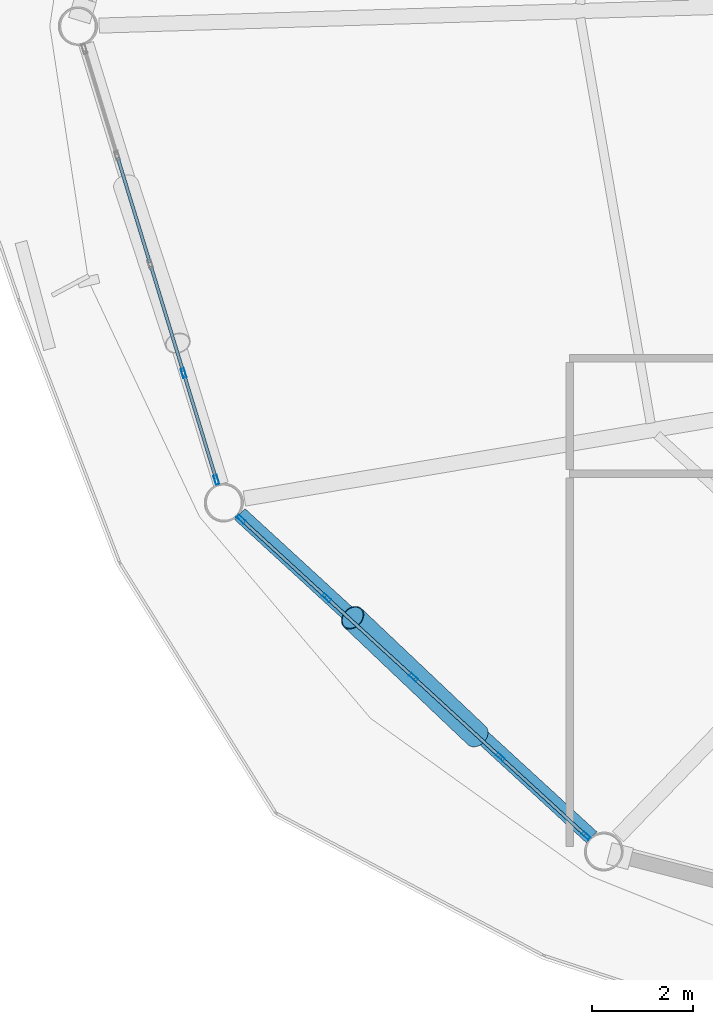
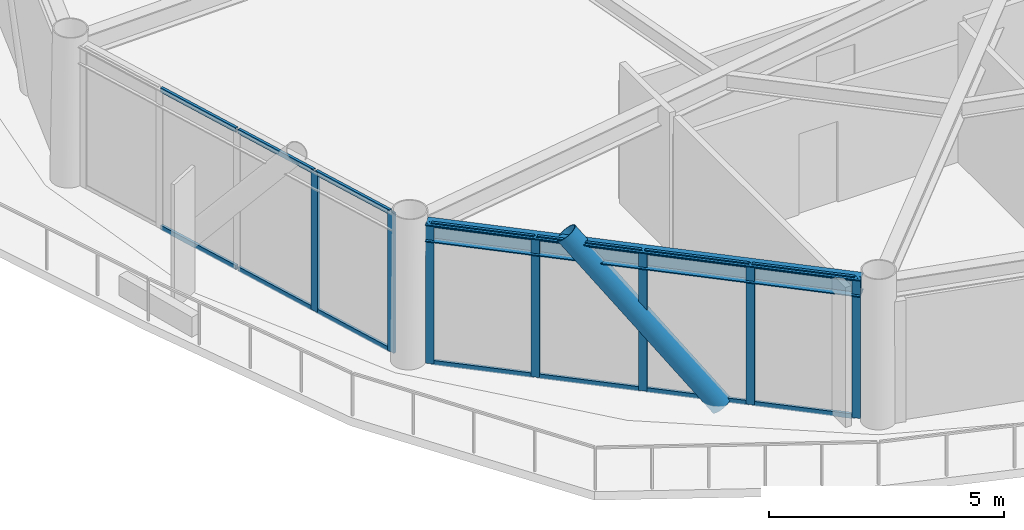
# One storey, part 2 of 23: 22 members, 1 beam, 2 elements without a shape of their own.
"""IFC4 building model written with IfcOpenShell, lengths in metres."""

import ifcopenshell
import ifcopenshell.guid

model = None  # the IFC model being written
_history = None  # IfcOwnerHistory: only IFC2X3 demands one
_inside = {}  # id of a spatial element -> (the spatial element, [elements in it])
_under = {}  # id of a project, library or spatial element -> (it, [spatial elements below it])
_declared = {}  # id of a project -> (the project, [libraries it declares])
_typed = {}  # id of a type object -> (the type object, [elements of that type])
_made_of = {}  # id of a material, layer set ... -> (it, [elements and type objects made of it])


def new_model(schema):
    """Start an empty IFC model of exactly this schema.

    Asked for "IFC4X3", IfcOpenShell would pick the latest addendum, in which some entities
    have other attributes; the version numbers below select the first issue.
    IFC2X3 requires an IfcOwnerHistory on every rooted entity: one is made here for all.
    """
    global model, _history
    if schema == "IFC4X3":
        model = ifcopenshell.file(schema_version=(4, 3, 0, 0))
    else:
        model = ifcopenshell.file(schema=schema)
    _inside.clear()
    _under.clear()
    _declared.clear()
    _typed.clear()
    _made_of.clear()
    _history = None
    if model.schema == "IFC2X3":
        org = make("IfcOrganization", Name="unknown")
        user = make(
            "IfcPersonAndOrganization",
            ThePerson=make("IfcPerson", FamilyName="unknown"),
            TheOrganization=org,
        )
        app = make(
            "IfcApplication",
            ApplicationDeveloper=org,
            Version="unknown",
            ApplicationFullName="unknown",
            ApplicationIdentifier="unknown",
        )
        _history = make(
            "IfcOwnerHistory",
            OwningUser=user,
            OwningApplication=app,
            ChangeAction="ADDED",
            CreationDate=0,
        )
    return model


def make(cls, **values):
    """One entity of the class cls with the attributes given. An attribute that is None is left unset."""
    return model.create_entity(
        cls, **{name: value for name, value in values.items() if value is not None}
    )


def rooted(cls, **values):
    """An entity with a GlobalId (a new one), such as an element, a storey or a relation."""
    return make(cls, GlobalId=ifcopenshell.guid.new(), OwnerHistory=_history, **values)


def si_unit(unit_type, name, prefix=None):
    """IfcSIUnit, for example si_unit("LENGTHUNIT", "METRE", prefix="MILLI")."""
    return make("IfcSIUnit", UnitType=unit_type, Prefix=prefix, Name=name)


def assignment(units):
    """IfcUnitAssignment: the units of a project."""
    return None if units is None else make("IfcUnitAssignment", Units=units)


def point(xyz):
    """IfcCartesianPoint."""
    return None if xyz is None else make("IfcCartesianPoint", Coordinates=xyz)


def direction(xyz):
    """IfcDirection."""
    return None if xyz is None else make("IfcDirection", DirectionRatios=xyz)


def frame(location, z_axis=None, x_axis=None):
    """IfcAxis2Placement3D, a coordinate frame: its origin and axes. An axis left out is left unset."""
    return make(
        "IfcAxis2Placement3D",
        Location=point(location),
        Axis=direction(z_axis),
        RefDirection=direction(x_axis),
    )


def frame_2d(location, x_axis=None):
    """IfcAxis2Placement2D, a coordinate frame in the plane: its origin and x axis."""
    return make(
        "IfcAxis2Placement2D", Location=point(location), RefDirection=direction(x_axis)
    )


def origin():
    """The frame at (0, 0, 0) with its axes left unset."""
    return frame((0.0, 0.0, 0.0))


def origin_2d():
    """The frame at (0, 0) in the plane with its x axis left unset."""
    return frame_2d((0.0, 0.0))


def place(relative_to, where):
    """IfcLocalPlacement: puts the frame where relative to a parent placement (None: the world)."""
    return make(
        "IfcLocalPlacement", PlacementRelTo=relative_to, RelativePlacement=where
    )


def context(
    kind, dimensions, precision=None, world=None, true_north=None, identifier=None
):
    """IfcGeometricRepresentationContext, for example the 3D "Model" context."""
    return make(
        "IfcGeometricRepresentationContext",
        ContextIdentifier=identifier,
        ContextType=kind,
        CoordinateSpaceDimension=dimensions,
        Precision=precision,
        WorldCoordinateSystem=world,
        TrueNorth=true_north,
    )


def subcontext(parent, identifier, kind, view, scale=None):
    """IfcGeometricRepresentationSubContext, for example "Body" below "Model"."""
    return make(
        "IfcGeometricRepresentationSubContext",
        ContextIdentifier=identifier,
        ContextType=kind,
        ParentContext=parent,
        TargetScale=scale,
        TargetView=view,
    )


def project(units=None, contexts=None):
    """IfcProject with its units and contexts."""
    return rooted(
        "IfcProject",
        Name="project",
        RepresentationContexts=contexts,
        UnitsInContext=assignment(units),
    )


def spatial(cls, under=None, at=None, **own):
    """A site, building, storey or space (cls), placed at a placement, below another one or the project."""
    s = rooted(cls, ObjectPlacement=at, **own)
    if under is not None:
        _under.setdefault(under.id(), (under, []))[1].append(s)
    return s


def profile(cls, at=None, kind="AREA", **sizes):
    """A parametric profile (cls). Its sizes go by their IFC names, for example OverallWidth=200.0."""
    return make(cls, ProfileType=kind, Position=at, **sizes)


def hollow_rectangle(**sizes):
    """IfcRectangleHollowProfileDef."""
    return profile("IfcRectangleHollowProfileDef", **sizes)


def hollow_circle(**sizes):
    """IfcCircleHollowProfileDef."""
    return profile("IfcCircleHollowProfileDef", **sizes)


def i_section(**sizes):
    """IfcIShapeProfileDef."""
    return profile("IfcIShapeProfileDef", **sizes)


def extrude(swept, where, along, depth):
    """IfcExtrudedAreaSolid: the profile swept, set in the frame where, extruded along a direction by depth."""
    return make(
        "IfcExtrudedAreaSolid",
        SweptArea=swept,
        Position=where,
        ExtrudedDirection=direction(along),
        Depth=depth,
    )


def shape(context_of_items, identifier, shape_type, items):
    """IfcShapeRepresentation: the items that make up one representation, for example the "Body"."""
    return make(
        "IfcShapeRepresentation",
        ContextOfItems=context_of_items,
        RepresentationIdentifier=identifier,
        RepresentationType=shape_type,
        Items=items,
    )


def material(Name=None, Category=None):
    """IfcMaterial."""
    return make("IfcMaterial", Name=Name, Category=Category)


def layer(
    of_material, thickness, ventilated=None, Name=None, Category=None, Priority=None
):
    """IfcMaterialLayer: one layer of a wall or slab, of a material (None: an air gap)."""
    return make(
        "IfcMaterialLayer",
        Material=of_material,
        LayerThickness=thickness,
        IsVentilated=ventilated,
        Name=Name,
        Category=Category,
        Priority=Priority,
    )


def layer_set(layers, Name=None):
    """IfcMaterialLayerSet."""
    return make("IfcMaterialLayerSet", MaterialLayers=layers, LayerSetName=Name)


def material_profile(
    of_material, cross_section, Name=None, Category=None, Priority=None
):
    """IfcMaterialProfile: a cross section and its material."""
    return make(
        "IfcMaterialProfile",
        Name=Name,
        Material=of_material,
        Profile=cross_section,
        Priority=Priority,
        Category=Category,
    )


def profile_set(profiles, Name=None, composite=None):
    """IfcMaterialProfileSet."""
    return make(
        "IfcMaterialProfileSet",
        Name=Name,
        MaterialProfiles=profiles,
        CompositeProfile=composite,
    )


def made_of(thing, what):
    """Note that an element or type object is made of a material, layer set ...; save() writes the relation."""
    if what is not None:
        _made_of.setdefault(what.id(), (what, []))[1].append(thing)
    return thing


def type_object(cls, material=None, **own):
    """A type object (cls), such as IfcWallType, which elements share."""
    return made_of(rooted(cls, **own), material)


def element(
    cls,
    number,
    at=None,
    inside=None,
    cuts=None,
    type_object=None,
    material=None,
    context=None,
    identifier="Body",
    shape_type=None,
    held_by="IfcProductDefinitionShape",
    body=None,
    shapes=None,
    **own,
):
    """One element of the class cls, such as IfcWall. Its Tag is "e" and its number.

    at: its placement. inside: the storey or other place that contains it. cuts: it is an
    opening in that element (IfcRelVoidsElement). A single representation is given by context,
    identifier, shape_type and body (its items); several are given by shapes. held_by: the class
    of the entity that holds the representations. save() writes the other relations.
    """
    e = rooted(cls, Tag="e%d" % number, ObjectPlacement=at, **own)
    if body is not None:
        shapes = [shape(context, identifier, shape_type, body)]
    if shapes is not None:
        e.Representation = make(held_by, Representations=shapes)
    if inside is not None:
        _inside.setdefault(inside.id(), (inside, []))[1].append(e)
    if cuts is not None:
        rooted(
            "IfcRelVoidsElement", RelatingBuildingElement=cuts, RelatedOpeningElement=e
        )
    if type_object is not None:
        _typed.setdefault(type_object.id(), (type_object, []))[1].append(e)
    return made_of(e, material)


def aggregate(whole, parts):
    """IfcRelAggregates: a whole, such as a stair, and the parts it consists of."""
    return rooted("IfcRelAggregates", RelatingObject=whole, RelatedObjects=parts)


def save(model, path):
    """Write the relations noted so far, then the file.

    IfcRelAggregates (storeys below a building ...), IfcRelContainedInSpatialStructure (elements
    in a storey), IfcRelDefinesByType, IfcRelAssociatesMaterial and IfcRelDeclares: one each for
    every whole, place, type object, material and project.
    """
    for whole, parts in _under.values():
        aggregate(whole, parts)
    for where, things in _inside.values():
        rooted(
            "IfcRelContainedInSpatialStructure",
            RelatedElements=things,
            RelatingStructure=where,
        )
    for kind, things in _typed.values():
        rooted("IfcRelDefinesByType", RelatedObjects=things, RelatingType=kind)
    for what, things in _made_of.values():
        rooted("IfcRelAssociatesMaterial", RelatedObjects=things, RelatingMaterial=what)
    for by, libraries in _declared.values():
        rooted("IfcRelDeclares", RelatingContext=by, RelatedDefinitions=libraries)
    model.write(path)


model = new_model("IFC4")

# Units and contexts
model_context = context("Model", 3, precision=1e-05, world=origin(), true_north=direction((0.0, 1.0)))
body_context = subcontext(model_context, "Body", "Model", "MODEL_VIEW")
ifc_project = project(units=[si_unit("LENGTHUNIT", "METRE"), si_unit("AREAUNIT", "SQUARE_METRE"), si_unit("VOLUMEUNIT", "CUBIC_METRE"), si_unit("PLANEANGLEUNIT", "RADIAN"), si_unit("MASSUNIT", "GRAM", prefix="KILO")], contexts=[model_context])

# Site, building, storey
site_placement = place(None, origin())
site = spatial("IfcSite", under=ifc_project, at=site_placement, CompositionType="ELEMENT")
building_placement = place(site_placement, origin())
building = spatial("IfcBuilding", under=site, at=building_placement, Name="Varnakorn Sky Granary", CompositionType="ELEMENT")
storey_placement = place(building_placement, frame((0.0, 0.0, 150.0)))
storey = spatial("IfcBuildingStorey", under=building, at=storey_placement, Name="L37", CompositionType="ELEMENT", Elevation=150.0)

# Beam
ifc_material_1 = material(Name="Steel S355JR", Category="steel")
ifc_material_profile_1 = material_profile(ifc_material_1, i_section(OverallWidth=0.300048828125, OverallDepth=0.449951171875, WebThickness=0.013916015625, FlangeThickness=0.02587890625, at=origin_2d()), Name="HE 450 B")
ifc_profile_set_1 = profile_set([ifc_material_profile_1], Name="Steel S355JR")
beam_type = type_object("IfcBeamType", Name="BM-SPD-Z3", PredefinedType="SPANDREL", material=ifc_profile_set_1)
beam_placement = place(storey_placement, frame((-19.054931640625, -9.7001953125, 3.4150390625), z_axis=(0.736482578833, -0.676456510853, 0.0), x_axis=(0.676456510853, 0.736482578833, 0.0)))
element("IfcBeam", 1, at=beam_placement, inside=storey, type_object=beam_type, Name="Perimeter Spandrel Ring Beam RB08 L37", PredefinedType="SPANDREL", context=body_context, shape_type="SweptSolid", body=[
    extrude(i_section(OverallWidth=0.300048828125, OverallDepth=0.449951171875, WebThickness=0.013916015625, FlangeThickness=0.02587890625, at=origin_2d()), origin(), (0.0, 0.0, 1.0), 9.4970703125),
])

# Curtain wall, members
ifc_material_2 = material(Name="Anodised Bronze Aluminium Alloy 6063-T6", Category="aluminium")
ifc_layer = layer(ifc_material_2, 0.179931640625, Name="Anodised Bronze Aluminium Alloy 6063-T6")
ifc_layer_set = layer_set([ifc_layer], Name="Anodised Bronze Aluminium Alloy 6063-T6")
curtain_wall_type = type_object("IfcCurtainWallType", Name="CW-FRM-2", PredefinedType="USERDEFINED", material=ifc_layer_set)
curtain_wall_1_placement = place(storey_placement, origin())
curtain_wall_1 = element("IfcCurtainWall", 2, at=curtain_wall_1_placement, inside=storey, type_object=curtain_wall_type, Name="Unitised Curtain Wall CW4 CW-L37-B07", ObjectType="CURTAIN WALL", PredefinedType="USERDEFINED")
ifc_material_profile_2 = material_profile(ifc_material_2, hollow_rectangle(XDim=0.070068359375, YDim=0.18505859375, WallThickness=0.00390625, at=origin_2d()), Name="ALU MULL 70x185")
ifc_profile_set_2 = profile_set([ifc_material_profile_2], Name="Anodised Bronze Aluminium Alloy 6063-T6")
member_type_1 = type_object("IfcMemberType", Name="CW-FRM-2-MULL", PredefinedType="MULLION", material=ifc_profile_set_2)
member_1_placement = place(storey_placement, frame((-19.52099609375, -9.021240234375, 0.0), z_axis=(0.0, 0.0, 1.0), x_axis=(-0.95619021193, -0.292746099222, 0.0)))
member_1 = element("IfcMember", 3, at=member_1_placement, type_object=member_type_1, Name="CW4 mullion 1", PredefinedType="MULLION", context=body_context, shape_type="SweptSolid", body=[
    extrude(hollow_rectangle(XDim=0.070068359375, YDim=0.18505859375, WallThickness=0.00390625, at=origin_2d()), origin(), (0.0, 0.0, 1.0), 3.639892578125),
])
member_2_placement = place(storey_placement, frame((-20.171630859375, -6.896484375, 0.0), z_axis=(0.0, 0.0, 1.0), x_axis=(-0.95619021193, -0.292746099222, 0.0)))
member_2 = element("IfcMember", 4, at=member_2_placement, type_object=member_type_1, Name="CW4 mullion 2", PredefinedType="MULLION", context=body_context, shape_type="SweptSolid", body=[
    extrude(hollow_rectangle(XDim=0.070068359375, YDim=0.18505859375, WallThickness=0.00390625, at=origin_2d()), origin(), (0.0, 0.0, 1.0), 3.639892578125),
])

curtain_wall_2_placement = place(storey_placement, origin())
curtain_wall_2 = element("IfcCurtainWall", 5, at=curtain_wall_2_placement, inside=storey, type_object=curtain_wall_type, Name="Unitised Curtain Wall CW4 CW-L37-B08", ObjectType="CURTAIN WALL", PredefinedType="USERDEFINED")
member_3_placement = place(storey_placement, frame((-12.1748046875, -16.092041015625, 0.0), z_axis=(0.0, 0.0, 1.0), x_axis=(-0.676226227357, -0.736694027012, 0.0)))
member_3 = element("IfcMember", 6, at=member_3_placement, type_object=member_type_1, Name="CW4 mullion 1", PredefinedType="MULLION", context=body_context, shape_type="SweptSolid", body=[
    extrude(hollow_rectangle(XDim=0.070068359375, YDim=0.18505859375, WallThickness=0.00390625, at=origin_2d()), origin(), (0.0, 0.0, 1.0), 3.639892578125),
])
member_4_placement = place(storey_placement, frame((-13.8759765625, -14.5302734375, 0.0), z_axis=(0.0, 0.0, 1.0), x_axis=(-0.676226227357, -0.736694027012, 0.0)))
member_4 = element("IfcMember", 7, at=member_4_placement, type_object=member_type_1, Name="CW4 mullion 2", PredefinedType="MULLION", context=body_context, shape_type="SweptSolid", body=[
    extrude(hollow_rectangle(XDim=0.070068359375, YDim=0.18505859375, WallThickness=0.00390625, at=origin_2d()), origin(), (0.0, 0.0, 1.0), 3.639892578125),
])
member_5_placement = place(storey_placement, frame((-15.602783203125, -12.945068359375, 0.0), z_axis=(0.0, 0.0, 1.0), x_axis=(-0.676226227357, -0.736694027012, 0.0)))
member_5 = element("IfcMember", 8, at=member_5_placement, type_object=member_type_1, Name="CW4 mullion 3", PredefinedType="MULLION", context=body_context, shape_type="SweptSolid", body=[
    extrude(hollow_rectangle(XDim=0.070068359375, YDim=0.18505859375, WallThickness=0.00390625, at=origin_2d()), origin(), (0.0, 0.0, 1.0), 3.639892578125),
])
member_6_placement = place(storey_placement, frame((-17.329833984375, -11.35986328125, 0.0), z_axis=(0.0, 0.0, 1.0), x_axis=(-0.676226227357, -0.736694027012, 0.0)))
member_6 = element("IfcMember", 9, at=member_6_placement, type_object=member_type_1, Name="CW4 mullion 4", PredefinedType="MULLION", context=body_context, shape_type="SweptSolid", body=[
    extrude(hollow_rectangle(XDim=0.070068359375, YDim=0.18505859375, WallThickness=0.00390625, at=origin_2d()), origin(), (0.0, 0.0, 1.0), 3.639892578125),
])
member_7_placement = place(storey_placement, frame((-19.031005859375, -9.79833984375, 0.0), z_axis=(0.0, 0.0, 1.0), x_axis=(-0.676226227357, -0.736694027012, 0.0)))
member_7 = element("IfcMember", 10, at=member_7_placement, type_object=member_type_1, Name="CW4 mullion 5", PredefinedType="MULLION", context=body_context, shape_type="SweptSolid", body=[
    extrude(hollow_rectangle(XDim=0.070068359375, YDim=0.18505859375, WallThickness=0.00390625, at=origin_2d()), origin(), (0.0, 0.0, 1.0), 3.639892578125),
])

# Member
ifc_material_profile_3 = material_profile(ifc_material_2, hollow_rectangle(XDim=0.06494140625, YDim=0.1201171875, WallThickness=0.00341796875, at=origin_2d()), Name="ALU TRAN 65x120")
ifc_profile_set_3 = profile_set([ifc_material_profile_3], Name="Anodised Bronze Aluminium Alloy 6063-T6")
member_type_2 = type_object("IfcMemberType", Name="CW-FRM-2-TRAN", PredefinedType="USERDEFINED", material=ifc_profile_set_3)
member_8_placement = place(storey_placement, frame((-19.53125, -8.98779296875, 0.032470703125), z_axis=(-0.292786239845, 0.956177921601, 0.0), x_axis=(-0.956177921601, -0.292786239845, 0.0)))
member_8 = element("IfcMember", 11, at=member_8_placement, type_object=member_type_2, Name="CW4 transom 1.1", ObjectType="TRANSOM", PredefinedType="USERDEFINED", context=body_context, shape_type="SweptSolid", body=[
    extrude(hollow_rectangle(XDim=0.06494140625, YDim=0.1201171875, WallThickness=0.00341796875, at=origin_2d()), origin(), (0.0, 0.0, 1.0), 2.152099609375),
])

member_9_placement = place(storey_placement, frame((-19.53125, -8.98779296875, 3.607421875), z_axis=(-0.292786239845, 0.956177921601, 0.0), x_axis=(-0.956177921601, -0.292786239845, 0.0)))
member_9 = element("IfcMember", 12, at=member_9_placement, type_object=member_type_2, Name="CW4 transom 1.2", ObjectType="TRANSOM", PredefinedType="USERDEFINED", context=body_context, shape_type="SweptSolid", body=[
    extrude(hollow_rectangle(XDim=0.06494140625, YDim=0.1201171875, WallThickness=0.00341796875, at=origin_2d()), origin(), (0.0, 0.0, 1.0), 2.152099609375),
])

member_10_placement = place(storey_placement, frame((-20.181884765625, -6.863037109375, 0.032470703125), z_axis=(-0.292689276788, 0.956207606775, 0.0), x_axis=(-0.956207606775, -0.292689276788, 0.0)))
member_10 = element("IfcMember", 13, at=member_10_placement, type_object=member_type_2, Name="CW4 transom 2.1", ObjectType="TRANSOM", PredefinedType="USERDEFINED", context=body_context, shape_type="SweptSolid", body=[
    extrude(hollow_rectangle(XDim=0.06494140625, YDim=0.1201171875, WallThickness=0.00341796875, at=origin_2d()), origin(), (0.0, 0.0, 1.0), 2.18701171875),
])

member_11_placement = place(storey_placement, frame((-20.181884765625, -6.863037109375, 3.607421875), z_axis=(-0.292689276788, 0.956207606775, 0.0), x_axis=(-0.956207606775, -0.292689276788, 0.0)))
member_11 = element("IfcMember", 14, at=member_11_placement, type_object=member_type_2, Name="CW4 transom 2.2", ObjectType="TRANSOM", PredefinedType="USERDEFINED", context=body_context, shape_type="SweptSolid", body=[
    extrude(hollow_rectangle(XDim=0.06494140625, YDim=0.1201171875, WallThickness=0.00341796875, at=origin_2d()), origin(), (0.0, 0.0, 1.0), 2.18701171875),
])

member_12_placement = place(storey_placement, frame((-20.842529296875, -4.704833984375, 0.032470703125), z_axis=(-0.292791337178, 0.956176360758, 0.0), x_axis=(-0.956176360758, -0.292791337178, 0.0)))
member_12 = element("IfcMember", 15, at=member_12_placement, type_object=member_type_2, Name="CW4 transom 3.1", ObjectType="TRANSOM", PredefinedType="USERDEFINED", context=body_context, shape_type="SweptSolid", body=[
    extrude(hollow_rectangle(XDim=0.06494140625, YDim=0.1201171875, WallThickness=0.00341796875, at=origin_2d()), origin(), (0.0, 0.0, 1.0), 2.187255859375),
])

member_13_placement = place(storey_placement, frame((-20.842529296875, -4.704833984375, 3.607421875), z_axis=(-0.292791337178, 0.956176360758, 0.0), x_axis=(-0.956176360758, -0.292791337178, 0.0)))
member_13 = element("IfcMember", 16, at=member_13_placement, type_object=member_type_2, Name="CW4 transom 3.2", ObjectType="TRANSOM", PredefinedType="USERDEFINED", context=body_context, shape_type="SweptSolid", body=[
    extrude(hollow_rectangle(XDim=0.06494140625, YDim=0.1201171875, WallThickness=0.00341796875, at=origin_2d()), origin(), (0.0, 0.0, 1.0), 2.187255859375),
])

aggregate(curtain_wall_1, [member_1, member_2, member_8, member_9, member_10, member_11, member_12, member_13])

member_14_placement = place(storey_placement, frame((-12.200439453125, -16.068359375, 0.032470703125), z_axis=(-0.736660671325, 0.676262563893, 0.0), x_axis=(-0.676262563893, -0.736660671325, 0.0)))
member_14 = element("IfcMember", 17, at=member_14_placement, type_object=member_type_2, Name="CW4 transom 1.1", ObjectType="TRANSOM", PredefinedType="USERDEFINED", context=body_context, shape_type="SweptSolid", body=[
    extrude(hollow_rectangle(XDim=0.06494140625, YDim=0.1201171875, WallThickness=0.00341796875, at=origin_2d()), origin(), (0.0, 0.0, 1.0), 2.2392578125),
])

member_15_placement = place(storey_placement, frame((-12.200439453125, -16.068359375, 3.607421875), z_axis=(-0.736660671325, 0.676262563893, 0.0), x_axis=(-0.676262563893, -0.736660671325, 0.0)))
member_15 = element("IfcMember", 18, at=member_15_placement, type_object=member_type_2, Name="CW4 transom 1.2", ObjectType="TRANSOM", PredefinedType="USERDEFINED", context=body_context, shape_type="SweptSolid", body=[
    extrude(hollow_rectangle(XDim=0.06494140625, YDim=0.1201171875, WallThickness=0.00341796875, at=origin_2d()), origin(), (0.0, 0.0, 1.0), 2.2392578125),
])

member_16_placement = place(storey_placement, frame((-13.901611328125, -14.506591796875, 0.032470703125), z_axis=(-0.736730679074, 0.676186295714, 0.0), x_axis=(-0.676186295714, -0.736730679074, 0.0)))
member_16 = element("IfcMember", 19, at=member_16_placement, type_object=member_type_2, Name="CW4 transom 2.1", ObjectType="TRANSOM", PredefinedType="USERDEFINED", context=body_context, shape_type="SweptSolid", body=[
    extrude(hollow_rectangle(XDim=0.06494140625, YDim=0.1201171875, WallThickness=0.00341796875, at=origin_2d()), origin(), (0.0, 0.0, 1.0), 2.274169921875),
])

member_17_placement = place(storey_placement, frame((-13.901611328125, -14.506591796875, 3.607421875), z_axis=(-0.736730679074, 0.676186295714, 0.0), x_axis=(-0.676186295714, -0.736730679074, 0.0)))
member_17 = element("IfcMember", 20, at=member_17_placement, type_object=member_type_2, Name="CW4 transom 2.2", ObjectType="TRANSOM", PredefinedType="USERDEFINED", context=body_context, shape_type="SweptSolid", body=[
    extrude(hollow_rectangle(XDim=0.06494140625, YDim=0.1201171875, WallThickness=0.00341796875, at=origin_2d()), origin(), (0.0, 0.0, 1.0), 2.274169921875),
])

member_18_placement = place(storey_placement, frame((-15.628662109375, -12.92138671875, 0.032470703125), z_axis=(-0.736681590659, 0.676239775512, 0.0), x_axis=(-0.676239775512, -0.736681590659, 0.0)))
member_18 = element("IfcMember", 21, at=member_18_placement, type_object=member_type_2, Name="CW4 transom 3.1", ObjectType="TRANSOM", PredefinedType="USERDEFINED", context=body_context, shape_type="SweptSolid", body=[
    extrude(hollow_rectangle(XDim=0.06494140625, YDim=0.1201171875, WallThickness=0.00341796875, at=origin_2d()), origin(), (0.0, 0.0, 1.0), 2.274169921875),
])

member_19_placement = place(storey_placement, frame((-15.628662109375, -12.92138671875, 3.607421875), z_axis=(-0.736681590659, 0.676239775512, 0.0), x_axis=(-0.676239775512, -0.736681590659, 0.0)))
member_19 = element("IfcMember", 22, at=member_19_placement, type_object=member_type_2, Name="CW4 transom 3.2", ObjectType="TRANSOM", PredefinedType="USERDEFINED", context=body_context, shape_type="SweptSolid", body=[
    extrude(hollow_rectangle(XDim=0.06494140625, YDim=0.1201171875, WallThickness=0.00341796875, at=origin_2d()), origin(), (0.0, 0.0, 1.0), 2.274169921875),
])

member_20_placement = place(storey_placement, frame((-17.355712890625, -11.336181640625, 0.032470703125), z_axis=(-0.73666512499, 0.676257712432, 0.0), x_axis=(-0.676257712432, -0.73666512499, 0.0)))
member_20 = element("IfcMember", 23, at=member_20_placement, type_object=member_type_2, Name="CW4 transom 4.1", ObjectType="TRANSOM", PredefinedType="USERDEFINED", context=body_context, shape_type="SweptSolid", body=[
    extrude(hollow_rectangle(XDim=0.06494140625, YDim=0.1201171875, WallThickness=0.00341796875, at=origin_2d()), origin(), (0.0, 0.0, 1.0), 2.239013671875),
])

member_21_placement = place(storey_placement, frame((-17.355712890625, -11.336181640625, 3.607421875), z_axis=(-0.73666512499, 0.676257712432, 0.0), x_axis=(-0.676257712432, -0.73666512499, 0.0)))
member_21 = element("IfcMember", 24, at=member_21_placement, type_object=member_type_2, Name="CW4 transom 4.2", ObjectType="TRANSOM", PredefinedType="USERDEFINED", context=body_context, shape_type="SweptSolid", body=[
    extrude(hollow_rectangle(XDim=0.06494140625, YDim=0.1201171875, WallThickness=0.00341796875, at=origin_2d()), origin(), (0.0, 0.0, 1.0), 2.239013671875),
])

aggregate(curtain_wall_2, [member_3, member_4, member_5, member_6, member_7, member_14, member_15, member_16, member_17, member_18, member_19, member_20, member_21])

ifc_material_3 = material(Name="Steel S460M", Category="steel")
ifc_material_profile_4 = material_profile(ifc_material_3, hollow_circle(Radius=0.25390625, WallThickness=0.01806640625, at=origin_2d()), Name="CHS 508x18")
ifc_profile_set_4 = profile_set([ifc_material_profile_4], Name="Steel S460M")
member_type_3 = type_object("IfcMemberType", Name="MB-DIAG-T2", PredefinedType="BRACE", material=ifc_profile_set_4)
member_22_placement = place(storey_placement, frame((-14.34326171875, -14.101318359375, -0.1298828125), z_axis=(-0.475761741286, 0.451167158831, 0.755048978757), x_axis=(-0.688102651653, -0.725613354886, 0.0)))
element("IfcMember", 25, at=member_22_placement, inside=storey, type_object=member_type_3, Name="Perimeter CHS Diagrid Brace DG08 L37", PredefinedType="BRACE", context=body_context, shape_type="SweptSolid", body=[
    extrude(hollow_circle(Radius=0.25390625, WallThickness=0.01806640625, at=origin_2d()), origin(), (0.0, 0.0, 1.0), 5.191650390625),
])

save(model, "model.ifc")
